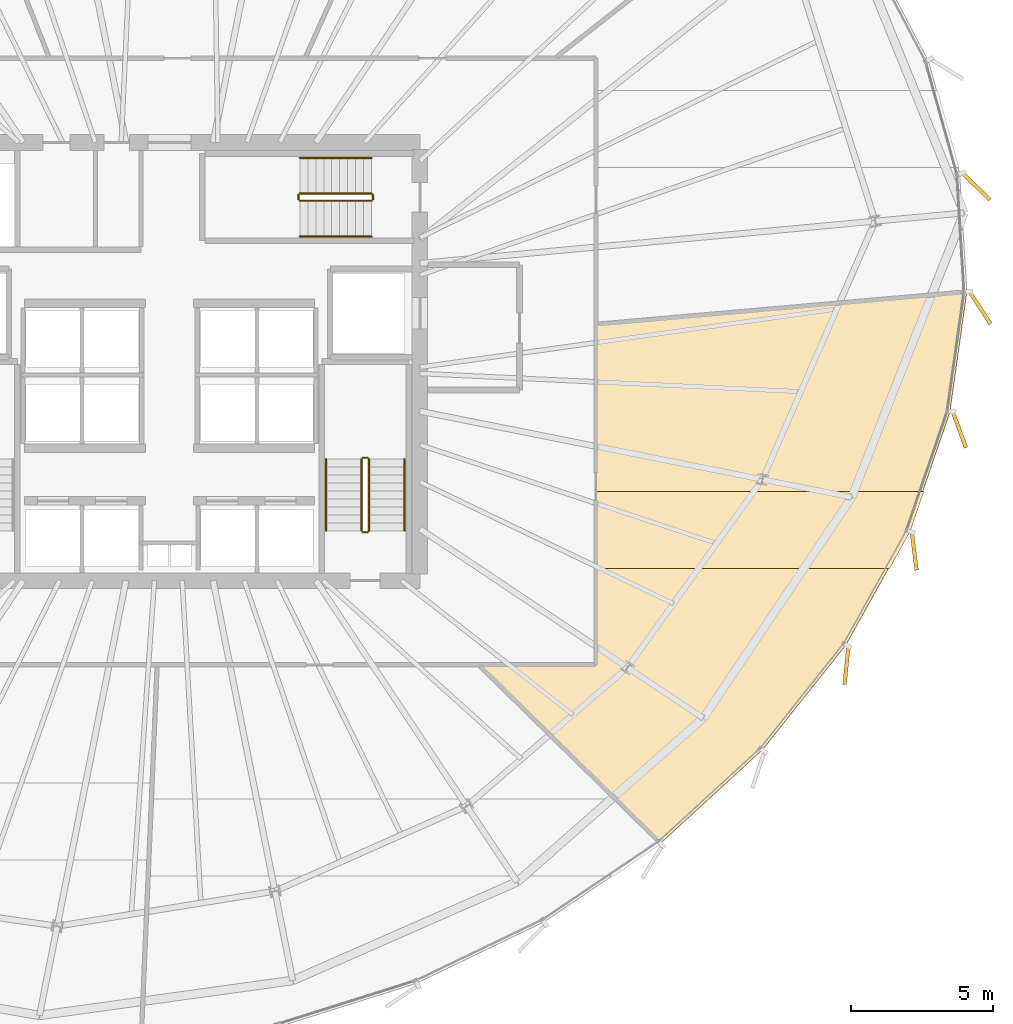
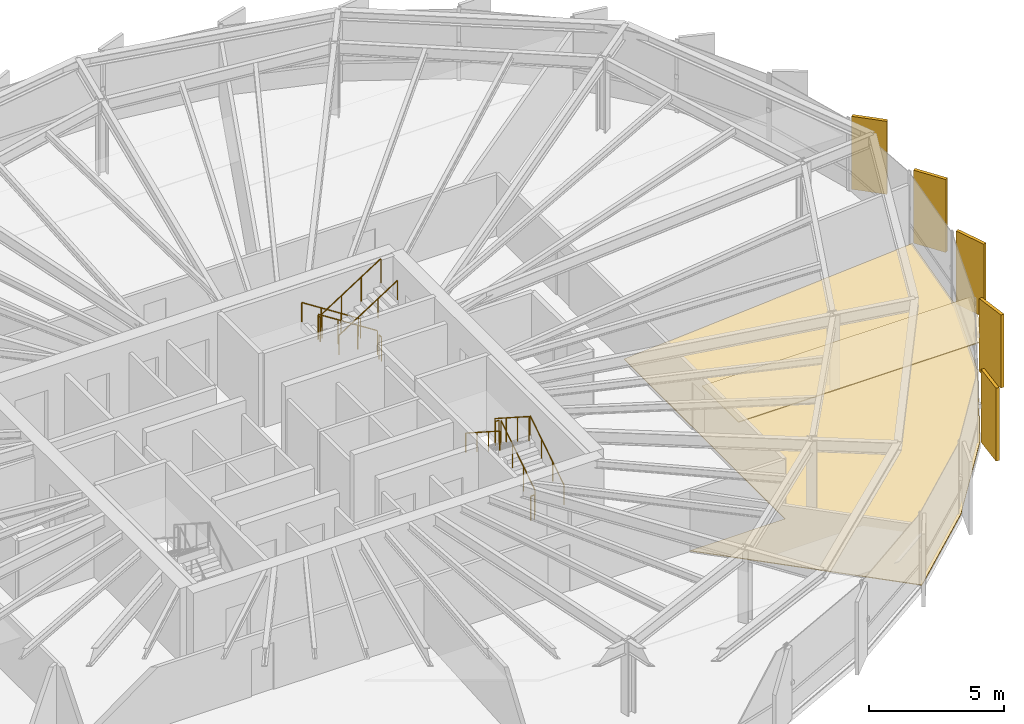
# One storey, part 34 of 35: 12 railings, 7 coverings.
"""IFC4 building model written with IfcOpenShell, lengths in metres."""

from ifc_helpers import new_model, si_unit, direction, frame, origin, origin_2d, place, context, subcontext, project, spatial, polyline, rectangle, circle, outline, extrude, source, transform, mapped, material, layer, layer_set, type_object, element, save


model = new_model("IFC4")

# Units and contexts
model_context = context("Model", 3, precision=1e-05, world=origin(), true_north=direction((0.0, 1.0)))
body_context = subcontext(model_context, "Body", "Model", "MODEL_VIEW")
ifc_project = project(units=[si_unit("LENGTHUNIT", "METRE"), si_unit("AREAUNIT", "SQUARE_METRE"), si_unit("VOLUMEUNIT", "CUBIC_METRE"), si_unit("PLANEANGLEUNIT", "RADIAN"), si_unit("MASSUNIT", "GRAM", prefix="KILO"), si_unit("THERMODYNAMICTEMPERATUREUNIT", "KELVIN")], contexts=[model_context])

# Site, building, storey
site_placement = place(None, origin())
site = spatial("IfcSite", under=ifc_project, at=site_placement, CompositionType="ELEMENT")
building_placement = place(site_placement, origin())
building = spatial("IfcBuilding", under=site, at=building_placement, Name="Kethvar Cultural Tower", CompositionType="ELEMENT")
storey_placement = place(building_placement, frame((0.0, 0.0, 121.60009765625)))
storey = spatial("IfcBuildingStorey", under=building, at=storey_placement, Name="L30", CompositionType="ELEMENT", Elevation=121.60009765625)

# Coverings
ifc_material_1 = material(Name="Acoustic Mineral Fibre Ceiling")
ifc_layer_1 = layer(ifc_material_1, 0.0400390625, Name="Acoustic Mineral Fibre Ceiling")
ifc_layer_set_1 = layer_set([ifc_layer_1], Name="Acoustic Mineral Fibre Ceiling (40 mm)")
covering_type_1 = type_object("IfcCoveringType", Name="CV-ACOUSTIC-CEIL", PredefinedType="CEILING", material=ifc_layer_set_1)
covering_1_placement = place(storey_placement, frame((0.0, 0.0, 2.33984375)))
element("IfcCovering", 1, at=covering_1_placement, inside=storey, type_object=covering_type_1, Name="L30 Room 03 Acoustic Ceiling Panel", PredefinedType="CEILING", context=body_context, shape_type="SweptSolid", body=[
    extrude(outline(polyline([(72.83251953125, 21.82470703125), (72.109375, 20.5224609375), (61.77001953125, 20.5224609375), (61.77001953125, 23.232421875), (73.314697265625, 23.232421875), (72.83251953125, 21.82470703125)])), origin(), (0.0, 0.0, 1.0), 0.0400390625),
])
ifc_material_2 = material(Name="Honed Warm Limestone", Category="masonry")
ifc_layer_2 = layer(ifc_material_2, 0.030029296875, Name="Honed Warm Limestone", Category="masonry")
ifc_layer_set_2 = layer_set([ifc_layer_2], Name="Honed Warm Limestone (30 mm)")
covering_type_2 = type_object("IfcCoveringType", Name="CV-STONE-FLOOR", PredefinedType="FLOORING", material=ifc_layer_set_2)
covering_2_placement = place(storey_placement, origin())
element("IfcCovering", 2, at=covering_2_placement, inside=storey, type_object=covering_type_2, Name="L30 Room 03 Floor Finish", PredefinedType="FLOORING", context=body_context, shape_type="SweptSolid", body=[
    extrude(outline(polyline([(74.2255859375, 26.016357421875), (72.79541015625, 21.83935546875), (70.574951171875, 17.843017578125), (67.632080078125, 14.149169921875), (64.069091796875, 10.8818359375), (57.7119140625, 17.1201171875), (61.80908203125, 17.13427734375), (61.81005859375, 29.089599609375), (74.8193359375, 30.224609375), (74.2255859375, 26.016357421875)])), origin(), (0.0, 0.0, 1.0), 0.02978515625),
])

# Railings
ifc_material_3 = material(Name="Steel S355J2", Category="steel")
railing_type_1 = type_object("IfcRailingType", Name="RL-STAIR-GUARD", PredefinedType="BALUSTRADE", material=ifc_material_3)
railing_1_placement = place(storey_placement, frame((53.81005859375, 21.85009765625, 0.179931640625)))
element("IfcRailing", 3, at=railing_1_placement, inside=storey, type_object=railing_type_1, Name="L30 ST-02 stair guard 1", PredefinedType="BALUSTRADE", context=body_context, shape_type="SweptSolid", body=[
    extrude(circle(Radius=0.02392578125, at=origin_2d()), frame((0.0, 0.0, 1.09619140625), z_axis=(0.0, 0.841199657755, 0.540724639528), x_axis=(-1.0, 0.0, 0.0)), (0.0, 0.0, 1.0), 2.995849609375),
    extrude(circle(Radius=0.02099609375, at=origin_2d()), origin(), (0.0, 0.0, 1.0), 1.072021484375),
    extrude(circle(Radius=0.02099609375, at=origin_2d()), frame((0.0, 0.840087890625, 0.5400390625)), (0.0, 0.0, 1.0), 1.072021484375),
    extrude(circle(Radius=0.02099609375, at=origin_2d()), frame((0.0, 1.679931640625, 1.079833984375)), (0.0, 0.0, 1.0), 1.072021484375),
    extrude(circle(Radius=0.02099609375, at=origin_2d()), frame((0.0, 2.52001953125, 1.619873046875)), (0.0, 0.0, 1.0), 1.072021484375),
])
railing_2_placement = place(storey_placement, frame((53.760009765625, 24.419921875, 1.7998046875)))
element("IfcRailing", 4, at=railing_2_placement, inside=storey, type_object=railing_type_1, Name="L30 ST-02 stair guard 2", PredefinedType="BALUSTRADE", context=body_context, shape_type="SweptSolid", body=[
    extrude(circle(Radius=0.02392578125, at=origin_2d()), frame((0.0, 0.0, 1.09619140625), z_axis=(-1.0, 0.0, 0.0), x_axis=(0.0, -1.0, 0.0)), (0.0, 0.0, 1.0), 0.159912109375),
    extrude(circle(Radius=0.02099609375, at=origin_2d()), origin(), (0.0, 0.0, 1.0), 1.072021484375),
    extrude(circle(Radius=0.02099609375, at=origin_2d()), frame((-0.159912109375, 0.0, 0.0)), (0.0, 0.0, 1.0), 1.072021484375),
])
railing_3_placement = place(storey_placement, frame((53.550048828125, 24.3701171875, 1.97998046875)))
element("IfcRailing", 5, at=railing_3_placement, inside=storey, type_object=railing_type_1, Name="L30 ST-02 stair guard 3", PredefinedType="BALUSTRADE", context=body_context, shape_type="SweptSolid", body=[
    extrude(circle(Radius=0.02392578125, at=origin_2d()), frame((0.0, 0.0, 1.09619140625), z_axis=(0.0, -0.841199657755, 0.540724639528), x_axis=(1.0, 0.0, 0.0)), (0.0, 0.0, 1.0), 2.995849609375),
    extrude(circle(Radius=0.02099609375, at=origin_2d()), origin(), (0.0, 0.0, 1.0), 1.072021484375),
    extrude(circle(Radius=0.02099609375, at=origin_2d()), frame((0.0, -0.840087890625, 0.5400390625)), (0.0, 0.0, 1.0), 1.072021484375),
    extrude(circle(Radius=0.02099609375, at=origin_2d()), frame((0.0, -1.679931640625, 1.079833984375)), (0.0, 0.0, 1.0), 1.072021484375),
    extrude(circle(Radius=0.02099609375, at=origin_2d()), frame((0.0, -2.52001953125, 1.619873046875)), (0.0, 0.0, 1.0), 1.072021484375),
])
railing_4_placement = place(storey_placement, frame((53.760009765625, 21.800048828125, 0.0)))
element("IfcRailing", 6, at=railing_4_placement, inside=storey, type_object=railing_type_1, Name="L30 ST-02 stair guard 4", PredefinedType="BALUSTRADE", context=body_context, shape_type="SweptSolid", body=[
    extrude(circle(Radius=0.02392578125, at=origin_2d()), frame((0.0, 0.0, 1.09619140625), z_axis=(-1.0, 0.0, 0.0), x_axis=(0.0, -1.0, 0.0)), (0.0, 0.0, 1.0), 0.159912109375),
    extrude(circle(Radius=0.02099609375, at=origin_2d()), origin(), (0.0, 0.0, 1.0), 1.072021484375),
    extrude(circle(Radius=0.02099609375, at=origin_2d()), frame((-0.159912109375, 0.0, 0.0)), (0.0, 0.0, 1.0), 1.072021484375),
])
railing_5_placement = place(storey_placement, frame((53.89990234375, 33.7099609375, 0.179931640625)))
element("IfcRailing", 7, at=railing_5_placement, inside=storey, type_object=railing_type_1, Name="L30 ST-03 stair guard 1", PredefinedType="BALUSTRADE", context=body_context, shape_type="SweptSolid", body=[
    extrude(circle(Radius=0.02392578125, at=origin_2d()), frame((0.0, 0.0, 1.09619140625), z_axis=(-0.841199657755, 0.0, 0.540724639528), x_axis=(0.0, -1.0, 0.0)), (0.0, 0.0, 1.0), 2.995849609375),
    extrude(circle(Radius=0.02099609375, at=origin_2d()), origin(), (0.0, 0.0, 1.0), 1.072021484375),
    extrude(circle(Radius=0.02099609375, at=origin_2d()), frame((-0.840087890625, 0.0, 0.5400390625)), (0.0, 0.0, 1.0), 1.072021484375),
    extrude(circle(Radius=0.02099609375, at=origin_2d()), frame((-1.679931640625, 0.0, 1.079833984375)), (0.0, 0.0, 1.0), 1.072021484375),
    extrude(circle(Radius=0.02099609375, at=origin_2d()), frame((-2.52001953125, 0.0, 1.619873046875)), (0.0, 0.0, 1.0), 1.072021484375),
])
railing_6_placement = place(storey_placement, frame((51.330078125, 33.659912109375, 1.7998046875)))
element("IfcRailing", 8, at=railing_6_placement, inside=storey, type_object=railing_type_1, Name="L30 ST-03 stair guard 2", PredefinedType="BALUSTRADE", context=body_context, shape_type="SweptSolid", body=[
    extrude(circle(Radius=0.02392578125, at=origin_2d()), frame((0.0, 0.0, 1.09619140625), z_axis=(0.0, -1.0, 0.0), x_axis=(1.0, 0.0, 0.0)), (0.0, 0.0, 1.0), 0.159912109375),
    extrude(circle(Radius=0.02099609375, at=origin_2d()), origin(), (0.0, 0.0, 1.0), 1.072021484375),
    extrude(circle(Radius=0.02099609375, at=origin_2d()), frame((0.0, -0.159912109375, 0.0)), (0.0, 0.0, 1.0), 1.072021484375),
])
railing_7_placement = place(storey_placement, frame((51.3798828125, 33.449951171875, 1.97998046875)))
element("IfcRailing", 9, at=railing_7_placement, inside=storey, type_object=railing_type_1, Name="L30 ST-03 stair guard 3", PredefinedType="BALUSTRADE", context=body_context, shape_type="SweptSolid", body=[
    extrude(circle(Radius=0.02392578125, at=origin_2d()), frame((0.0, 0.0, 1.09619140625), z_axis=(0.841199657755, 0.0, 0.540724639528), x_axis=(0.0, 1.0, 0.0)), (0.0, 0.0, 1.0), 2.995849609375),
    extrude(circle(Radius=0.02099609375, at=origin_2d()), origin(), (0.0, 0.0, 1.0), 1.072021484375),
    extrude(circle(Radius=0.02099609375, at=origin_2d()), frame((0.840087890625, 0.0, 0.5400390625)), (0.0, 0.0, 1.0), 1.072021484375),
    extrude(circle(Radius=0.02099609375, at=origin_2d()), frame((1.679931640625, 0.0, 1.079833984375)), (0.0, 0.0, 1.0), 1.072021484375),
    extrude(circle(Radius=0.02099609375, at=origin_2d()), frame((2.52001953125, 0.0, 1.619873046875)), (0.0, 0.0, 1.0), 1.072021484375),
])
railing_8_placement = place(storey_placement, frame((53.949951171875, 33.659912109375, 0.0)))
element("IfcRailing", 10, at=railing_8_placement, inside=storey, type_object=railing_type_1, Name="L30 ST-03 stair guard 4", PredefinedType="BALUSTRADE", context=body_context, shape_type="SweptSolid", body=[
    extrude(circle(Radius=0.02392578125, at=origin_2d()), frame((0.0, 0.0, 1.09619140625), z_axis=(0.0, -1.0, 0.0), x_axis=(1.0, 0.0, 0.0)), (0.0, 0.0, 1.0), 0.159912109375),
    extrude(circle(Radius=0.02099609375, at=origin_2d()), origin(), (0.0, 0.0, 1.0), 1.072021484375),
    extrude(circle(Radius=0.02099609375, at=origin_2d()), frame((0.0, -0.159912109375, 0.0)), (0.0, 0.0, 1.0), 1.072021484375),
])
railing_type_2 = type_object("IfcRailingType", Name="RL-STAIR-HANDRAIL", PredefinedType="HANDRAIL", material=ifc_material_3)
railing_9_placement = place(storey_placement, frame((55.06005859375, 21.85009765625, 0.179931640625)))
element("IfcRailing", 11, at=railing_9_placement, inside=storey, type_object=railing_type_2, Name="L30 ST-02 stair handrail 1", PredefinedType="HANDRAIL", context=body_context, shape_type="SweptSolid", body=[
    extrude(circle(Radius=0.02392578125, at=origin_2d()), frame((0.0, 0.0, 0.8759765625), z_axis=(0.0, 0.841199657755, 0.540724639528), x_axis=(-1.0, 0.0, 0.0)), (0.0, 0.0, 1.0), 2.995849609375),
    extrude(circle(Radius=0.02099609375, at=origin_2d()), origin(), (0.0, 0.0, 1.0), 0.851806640625),
    extrude(circle(Radius=0.02099609375, at=origin_2d()), frame((0.0, 0.840087890625, 0.5400390625)), (0.0, 0.0, 1.0), 0.851806640625),
    extrude(circle(Radius=0.02099609375, at=origin_2d()), frame((0.0, 1.679931640625, 1.079833984375)), (0.0, 0.0, 1.0), 0.851806640625),
    extrude(circle(Radius=0.02099609375, at=origin_2d()), frame((0.0, 2.52001953125, 1.619873046875)), (0.0, 0.0, 1.0), 0.851806640625),
])
railing_10_placement = place(storey_placement, frame((52.300048828125, 24.3701171875, 1.97998046875)))
element("IfcRailing", 12, at=railing_10_placement, inside=storey, type_object=railing_type_2, Name="L30 ST-02 stair handrail 2", PredefinedType="HANDRAIL", context=body_context, shape_type="SweptSolid", body=[
    extrude(circle(Radius=0.02392578125, at=origin_2d()), frame((0.0, 0.0, 0.8759765625), z_axis=(0.0, -0.841199657755, 0.540724639528), x_axis=(1.0, 0.0, 0.0)), (0.0, 0.0, 1.0), 2.995849609375),
    extrude(circle(Radius=0.02099609375, at=origin_2d()), origin(), (0.0, 0.0, 1.0), 0.851806640625),
    extrude(circle(Radius=0.02099609375, at=origin_2d()), frame((0.0, -0.840087890625, 0.5400390625)), (0.0, 0.0, 1.0), 0.851806640625),
    extrude(circle(Radius=0.02099609375, at=origin_2d()), frame((0.0, -1.679931640625, 1.079833984375)), (0.0, 0.0, 1.0), 0.851806640625),
    extrude(circle(Radius=0.02099609375, at=origin_2d()), frame((0.0, -2.52001953125, 1.619873046875)), (0.0, 0.0, 1.0), 0.851806640625),
])
railing_11_placement = place(storey_placement, frame((53.89990234375, 34.9599609375, 0.179931640625)))
element("IfcRailing", 13, at=railing_11_placement, inside=storey, type_object=railing_type_2, Name="L30 ST-03 stair handrail 1", PredefinedType="HANDRAIL", context=body_context, shape_type="SweptSolid", body=[
    extrude(circle(Radius=0.02392578125, at=origin_2d()), frame((0.0, 0.0, 0.8759765625), z_axis=(-0.841199657755, 0.0, 0.540724639528), x_axis=(0.0, -1.0, 0.0)), (0.0, 0.0, 1.0), 2.995849609375),
    extrude(circle(Radius=0.02099609375, at=origin_2d()), origin(), (0.0, 0.0, 1.0), 0.851806640625),
    extrude(circle(Radius=0.02099609375, at=origin_2d()), frame((-0.840087890625, 0.0, 0.5400390625)), (0.0, 0.0, 1.0), 0.851806640625),
    extrude(circle(Radius=0.02099609375, at=origin_2d()), frame((-1.679931640625, 0.0, 1.079833984375)), (0.0, 0.0, 1.0), 0.851806640625),
    extrude(circle(Radius=0.02099609375, at=origin_2d()), frame((-2.52001953125, 0.0, 1.619873046875)), (0.0, 0.0, 1.0), 0.851806640625),
])
railing_12_placement = place(storey_placement, frame((51.3798828125, 32.199951171875, 1.97998046875)))
element("IfcRailing", 14, at=railing_12_placement, inside=storey, type_object=railing_type_2, Name="L30 ST-03 stair handrail 2", PredefinedType="HANDRAIL", context=body_context, shape_type="SweptSolid", body=[
    extrude(circle(Radius=0.02392578125, at=origin_2d()), frame((0.0, 0.0, 0.8759765625), z_axis=(0.841199657755, 0.0, 0.540724639528), x_axis=(0.0, 1.0, 0.0)), (0.0, 0.0, 1.0), 2.995849609375),
    extrude(circle(Radius=0.02099609375, at=origin_2d()), origin(), (0.0, 0.0, 1.0), 0.851806640625),
    extrude(circle(Radius=0.02099609375, at=origin_2d()), frame((0.840087890625, 0.0, 0.5400390625)), (0.0, 0.0, 1.0), 0.851806640625),
    extrude(circle(Radius=0.02099609375, at=origin_2d()), frame((1.679931640625, 0.0, 1.079833984375)), (0.0, 0.0, 1.0), 0.851806640625),
    extrude(circle(Radius=0.02099609375, at=origin_2d()), frame((2.52001953125, 0.0, 1.619873046875)), (0.0, 0.0, 1.0), 0.851806640625),
])

# Coverings
ifc_material_4 = material(Name="Extruded Architectural Terracotta", Category="masonry")
ifc_layer_3 = layer(ifc_material_4, 0.135009765625, Name="Extruded Architectural Terracotta", Category="masonry")
ifc_layer_set_3 = layer_set([ifc_layer_3], Name="Extruded Architectural Terracotta (135 mm)")
covering_type_3 = type_object("IfcCoveringType", Name="Terracotta Facade Fin FIN-02", PredefinedType="CLADDING", material=ifc_layer_set_3)
shared_shape = source(origin(), body_context, "Body", "SweptSolid", [
    extrude(rectangle(XDim=1.35009765625, YDim=0.135009765625, at=origin_2d()), origin(), (0.0, 0.0, 1.0), 3.31005859375),
])
for number, where, z_axis, x_axis, name in (
    (15, (70.593994140625, 17.121337890625, 0.019775390625), (0.0, 0.0, 1.0), (-0.100014405321, -0.994985989212, 0.0), "L30 Vertical Terracotta Fin 6.5"),
    (16, (72.972900390625, 21.135498046875, 0.019775390625), (0.0, 0.0, 1.0), (0.123774669453, -0.992310350244, 0.0), "L30 Vertical Terracotta Fin 6.6"),
    (17, (74.560791015625, 25.40478515625, 0.019775390625), (0.0, 0.0, 1.0), (0.342348137086, -0.939573175987, 0.0), "L30 Vertical Terracotta Fin 7.1"),
    (18, (75.289306640625, 29.68505859375, 0.019775390625), (0.0, 0.0, 1.0), (0.543467499475, -0.839430209734, 0.0), "L30 Vertical Terracotta Fin 7.2"),
    (19, (75.148681640625, 33.95751953125, 0.019775390625), (0.0, 0.0, 1.0), (0.716180145105, -0.697915467487, 0.0), "L30 Vertical Terracotta Fin 7.3"),
):
    element("IfcCovering", number, at=place(storey_placement, frame(where, z_axis=z_axis, x_axis=x_axis)), inside=storey, type_object=covering_type_3, Name=name, PredefinedType="CLADDING", context=body_context, shape_type="MappedRepresentation", body=[
        mapped(shared_shape, transform((0.0, 0.0, 0.0), scale=1.0)),
    ])

save(model, "model.ifc")
